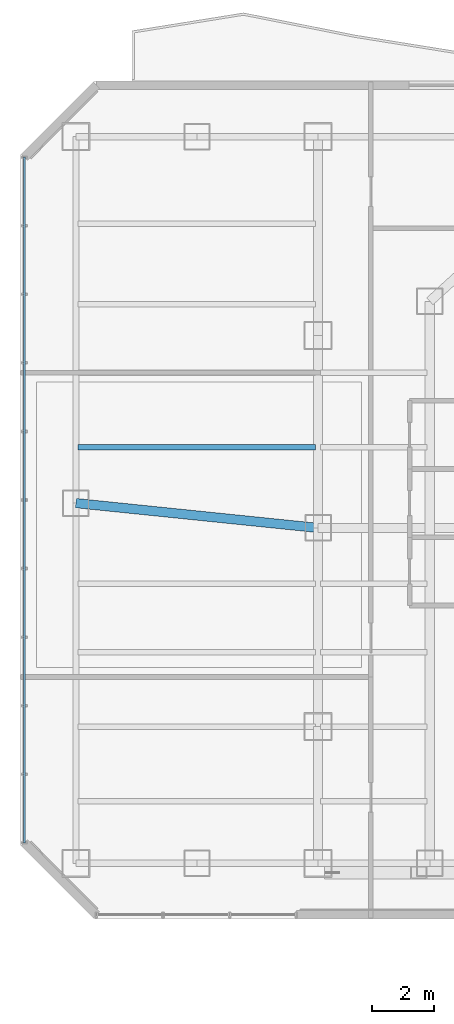
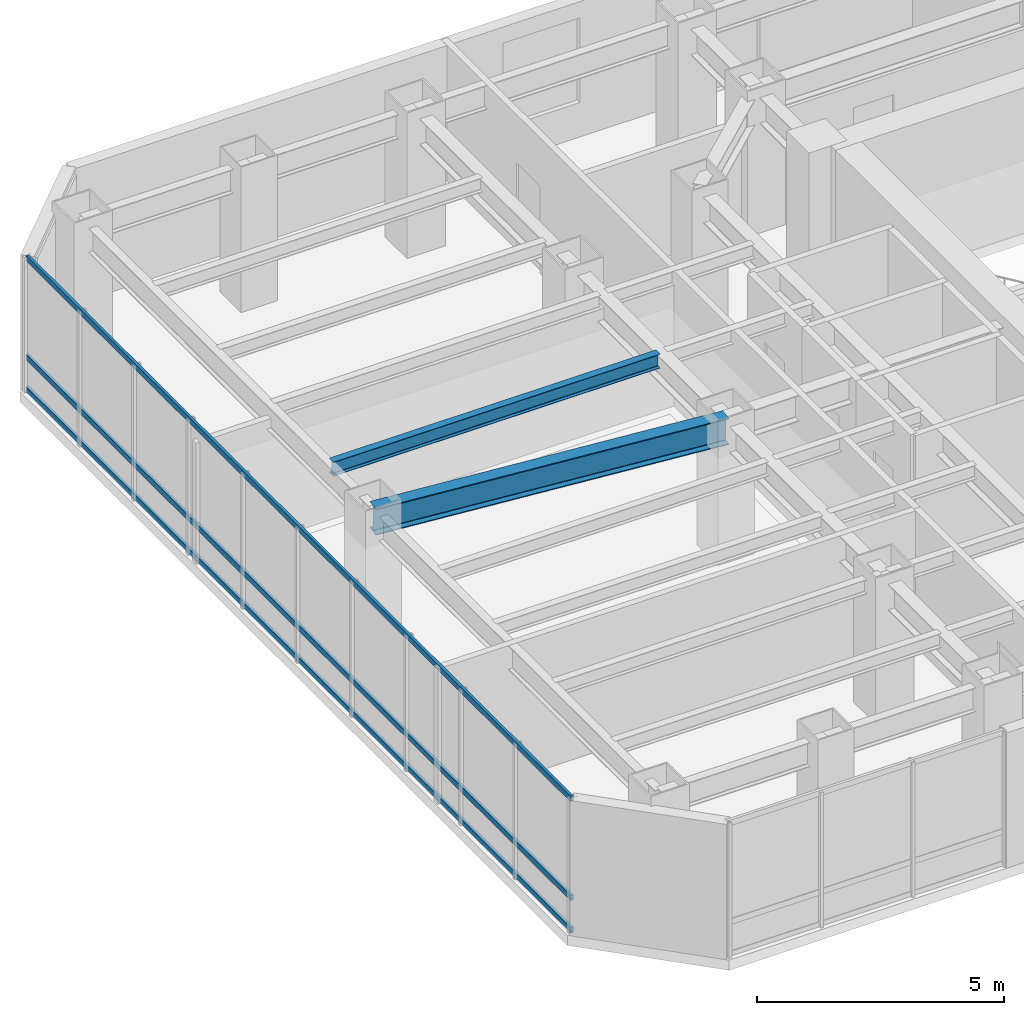
# One storey, part 14 of 29: 3 members, 2 beams, 1 element without a shape of its own.
"""IFC4 building model written with IfcOpenShell, lengths in metres."""

from ifc_helpers import new_model, si_unit, direction, frame, origin, origin_2d, place, context, subcontext, project, spatial, hollow_rectangle, i_section, extrude, material, layer, layer_set, material_profile, profile_set, type_object, element, aggregate, save


model = new_model("IFC4")

# Units and contexts
model_context = context("Model", 3, precision=1e-05, world=origin(), true_north=direction((0.0, 1.0)))
body_context = subcontext(model_context, "Body", "Model", "MODEL_VIEW")
ifc_project = project(units=[si_unit("LENGTHUNIT", "METRE"), si_unit("AREAUNIT", "SQUARE_METRE"), si_unit("VOLUMEUNIT", "CUBIC_METRE"), si_unit("PLANEANGLEUNIT", "RADIAN"), si_unit("MASSUNIT", "GRAM", prefix="KILO")], contexts=[model_context])

# Site, building, storey
site_placement = place(None, origin())
site = spatial("IfcSite", under=ifc_project, at=site_placement, CompositionType="ELEMENT")
building_placement = place(site_placement, origin())
building = spatial("IfcBuilding", under=site, at=building_placement, Name="Hatsunagi Terrace Concourse", CompositionType="ELEMENT")
storey_placement = place(building_placement, frame((0.0, 0.0, 119.25)))
storey = spatial("IfcBuildingStorey", under=building, at=storey_placement, Name="L31", CompositionType="ELEMENT", Elevation=119.25)

# Curtain wall, members
ifc_material_1 = material(Name="Anodised Aluminium Alloy 6063-T5", Category="aluminium")
ifc_layer = layer(ifc_material_1, 0.199951171875)
ifc_layer_set = layer_set([ifc_layer], Name="OfficeZone1_CW03")
curtain_wall_type = type_object("IfcCurtainWallType", Name="OfficeZone1_CW03", PredefinedType="NOTDEFINED", material=ifc_layer_set)
curtain_wall_placement = place(storey_placement, origin())
curtain_wall = element("IfcCurtainWall", 1, at=curtain_wall_placement, inside=storey, type_object=curtain_wall_type, Name="Unitised Curtain Wall CW-03 CW-L31-09", PredefinedType="NOTDEFINED")
ifc_material_2 = material(Name="Anodised Aluminium Alloy 6063-T5", Category="aluminium")
ifc_material_profile_1 = material_profile(ifc_material_2, hollow_rectangle(XDim=0.06494140625, YDim=0.139892578125, WallThickness=0.00390625, at=origin_2d()), Name="ALU-TRN-140x65x4")
ifc_profile_set_1 = profile_set([ifc_material_profile_1], Name="Anodised Aluminium Alloy 6063-T5")
member_type = type_object("IfcMemberType", Name="CurtainWallTransom_140x65", PredefinedType="USERDEFINED", material=ifc_profile_set_1)
member_1_placement = place(storey_placement, frame((9.739990234375, 25.85791015625, 0.050048828125), z_axis=(0.0, 1.0, 0.0), x_axis=(-1.0, 0.0, 0.0)))
member_1 = element("IfcMember", 2, at=member_1_placement, type_object=member_type, Name="Curtain Wall Transom TRN-02", ObjectType="TRANSOM", PredefinedType="USERDEFINED", context=body_context, shape_type="SweptSolid", body=[
    extrude(hollow_rectangle(XDim=0.06494140625, YDim=0.139892578125, WallThickness=0.00390625, at=origin_2d()), origin(), (0.0, 0.0, 1.0), 22.083984375),
])
member_2_placement = place(storey_placement, frame((9.739990234375, 25.85791015625, 0.85009765625), z_axis=(0.0, 1.0, 0.0), x_axis=(-1.0, 0.0, 0.0)))
member_2 = element("IfcMember", 3, at=member_2_placement, type_object=member_type, Name="Curtain Wall Transom TRN-02", ObjectType="TRANSOM", PredefinedType="USERDEFINED", context=body_context, shape_type="SweptSolid", body=[
    extrude(hollow_rectangle(XDim=0.06494140625, YDim=0.139892578125, WallThickness=0.00390625, at=origin_2d()), origin(), (0.0, 0.0, 1.0), 22.083984375),
])
member_3_placement = place(storey_placement, frame((9.739990234375, 25.85791015625, 3.300048828125), z_axis=(0.0, 1.0, 0.0), x_axis=(-1.0, 0.0, 0.0)))
member_3 = element("IfcMember", 4, at=member_3_placement, type_object=member_type, Name="Curtain Wall Transom TRN-02", ObjectType="TRANSOM", PredefinedType="USERDEFINED", context=body_context, shape_type="SweptSolid", body=[
    extrude(hollow_rectangle(XDim=0.06494140625, YDim=0.139892578125, WallThickness=0.00390625, at=origin_2d()), origin(), (0.0, 0.0, 1.0), 22.083984375),
])
aggregate(curtain_wall, [member_1, member_2, member_3])

# Beams
ifc_material_3 = material(Name="Steel SN490B", Category="steel")
ifc_material_profile_2 = material_profile(ifc_material_3, i_section(OverallWidth=0.175048828125, OverallDepth=0.35009765625, WebThickness=0.007080078125, FlangeThickness=0.010986328125, FilletRadius=0.012939453125, at=origin_2d()), Name="H-350x175x7x11")
ifc_profile_set_2 = profile_set([ifc_material_profile_2], Name="Steel SN490B")
beam_type_1 = type_object("IfcBeamType", Name="HotelJoist_H_350x175", PredefinedType="JOIST", material=ifc_profile_set_2)
beam_1_placement = place(storey_placement, frame((11.465087890625, 38.60009765625, 3.175048828125), z_axis=(1.0, 0.0, 0.0), x_axis=(0.0, 1.0, 0.0)))
element("IfcBeam", 5, at=beam_1_placement, inside=storey, type_object=beam_type_1, Name="Beam J-02 J-L31-W-11-386", PredefinedType="JOIST", context=body_context, shape_type="SweptSolid", body=[
    extrude(i_section(OverallWidth=0.175048828125, OverallDepth=0.35009765625, WebThickness=0.007080078125, FlangeThickness=0.010986328125, FilletRadius=0.012939453125, at=origin_2d()), origin(), (0.0, 0.0, 1.0), 7.64990234375),
])
ifc_material_4 = material(Name="Steel SN490B", Category="steel")
ifc_material_profile_3 = material_profile(ifc_material_4, i_section(OverallWidth=0.300048828125, OverallDepth=0.64990234375, WebThickness=0.012939453125, FlangeThickness=0.02197265625, FilletRadius=0.01806640625, at=origin_2d()), Name="H-650x300x13x22")
ifc_profile_set_3 = profile_set([ifc_material_profile_3], Name="Steel SN490B")
beam_type_2 = type_object("IfcBeamType", Name="OfficeLowGirder_H_650x300", PredefinedType="BEAM", material=ifc_profile_set_3)
beam_2_placement = place(storey_placement, frame((11.39990234375, 36.800048828125, 3.02490234375), z_axis=(0.994780871372, -0.102034395927, 0.0), x_axis=(0.102034395927, 0.994780871372, 0.0)))
element("IfcBeam", 6, at=beam_2_placement, inside=storey, type_object=beam_type_2, Name="Beam G-05 BM-L31-EW-2", PredefinedType="BEAM", context=body_context, shape_type="SweptSolid", body=[
    extrude(i_section(OverallWidth=0.300048828125, OverallDepth=0.64990234375, WebThickness=0.012939453125, FlangeThickness=0.02197265625, FilletRadius=0.01806640625, at=origin_2d()), origin(), (0.0, 0.0, 1.0), 7.841064453125),
])

save(model, "model.ifc")
